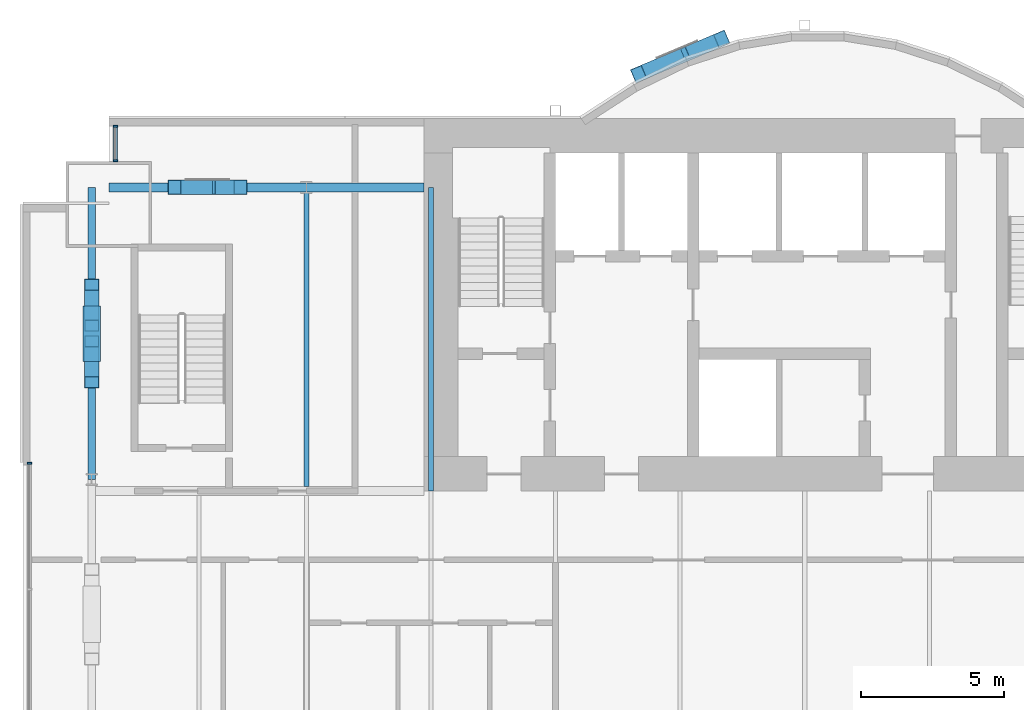
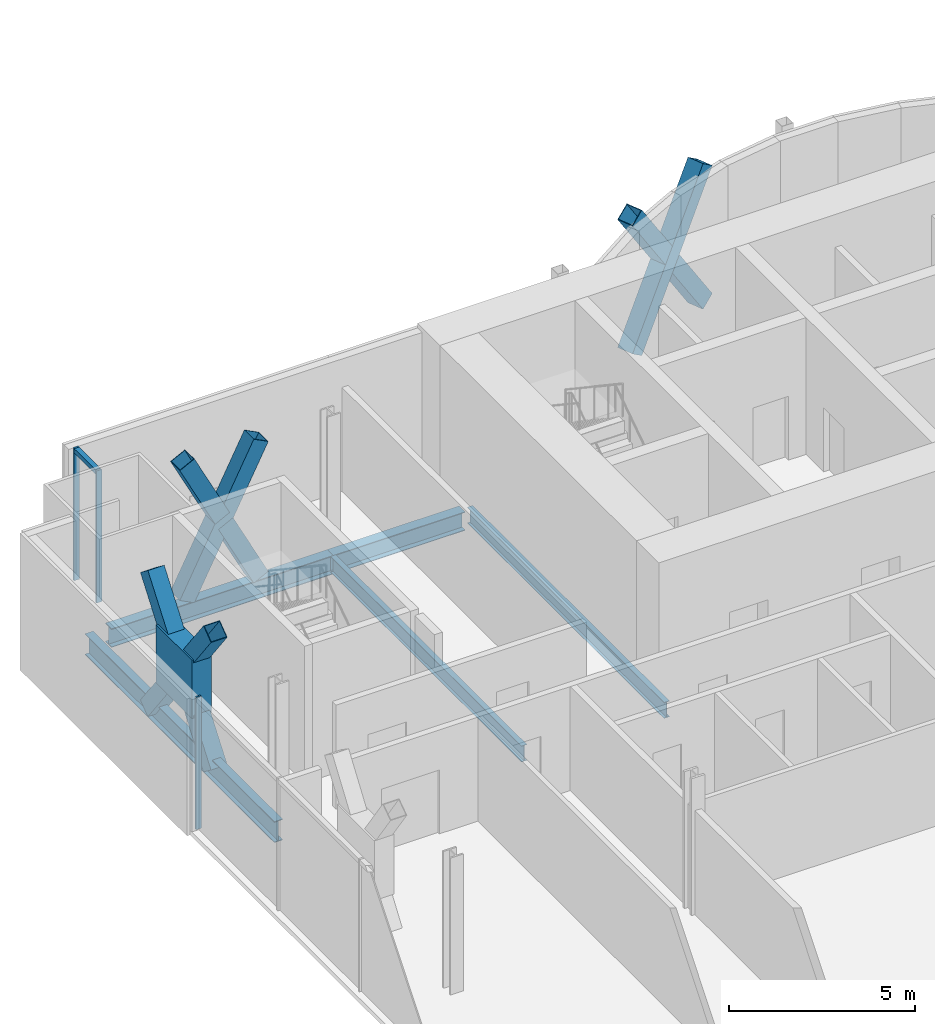
# One storey, part 10 of 22: 15 members, 5 beams, 2 elements without a shape of their own.
"""IFC4 building model written with IfcOpenShell, lengths in metres."""

from ifc_helpers import new_model, si_unit, direction, frame, origin, origin_2d, place, context, subcontext, project, spatial, rectangle, hollow_rectangle, i_section, extrude, material, material_profile, profile_set, type_object, element, aggregate, save


model = new_model("IFC4")

# Units and contexts
model_context = context("Model", 3, precision=1e-05, world=origin(), true_north=direction((0.0, 1.0)))
body_context = subcontext(model_context, "Body", "Model", "MODEL_VIEW")
ifc_project = project(units=[si_unit("LENGTHUNIT", "METRE"), si_unit("AREAUNIT", "SQUARE_METRE"), si_unit("VOLUMEUNIT", "CUBIC_METRE"), si_unit("PLANEANGLEUNIT", "RADIAN"), si_unit("MASSUNIT", "GRAM", prefix="KILO")], contexts=[model_context])

# Site, building, storey
site_placement = place(None, origin())
site = spatial("IfcSite", under=ifc_project, at=site_placement, CompositionType="ELEMENT")
building_placement = place(site_placement, origin())
building = spatial("IfcBuilding", under=site, at=building_placement, Name="Bicima Exchange Tower", CompositionType="ELEMENT")
storey_placement = place(building_placement, frame((0.0, 0.0, 39.5)))
storey = spatial("IfcBuildingStorey", under=building, at=storey_placement, Name="L07", CompositionType="ELEMENT", Elevation=39.5)

# Member
ifc_material_1 = material(Name="Steel ASTM A572 Gr 50", Category="steel")
ifc_material_profile_1 = material_profile(ifc_material_1, rectangle(XDim=0.60791015625, YDim=1.938720703125, at=origin_2d()))
ifc_profile_set_1 = profile_set([ifc_material_profile_1], Name="Steel ASTM A572 Gr 50")
member_type_1 = type_object("IfcMemberType", Name="Brace crossing node 608 x 1939", PredefinedType="POST", material=ifc_profile_set_1)
member_1_placement = place(storey_placement, frame((-33.60009765625, -7.5, 0.7939453125), z_axis=(0.0, 0.0, 1.0), x_axis=(1.0, 0.0, 0.0)))
element("IfcMember", 1, at=member_1_placement, inside=storey, type_object=member_type_1, Name="Brace crossing node block", PredefinedType="POST", context=body_context, shape_type="SweptSolid", body=[
    extrude(rectangle(XDim=0.60791015625, YDim=1.938720703125, at=origin_2d()), origin(), (0.0, 0.0, 1.0), 1.918701171875),
])

# Curtain wall, member
ifc_material_2 = material(Name="Anodised bronze aluminium", Category="aluminium")
curtain_wall_type_1 = type_object("IfcCurtainWallType", Name="End face glass wall", PredefinedType="NOTDEFINED", material=ifc_material_2)
curtain_wall_1_placement = place(storey_placement, origin())
curtain_wall_1 = element("IfcCurtainWall", 2, at=curtain_wall_1_placement, inside=storey, type_object=curtain_wall_type_1, Name="End face glass wall L07 run 2", PredefinedType="NOTDEFINED")
ifc_material_profile_2 = material_profile(ifc_material_2, rectangle(XDim=0.159912109375, YDim=0.06005859375, at=origin_2d()))
ifc_profile_set_2 = profile_set([ifc_material_profile_2], Name="Anodised bronze aluminium")
member_type_2 = type_object("IfcMemberType", Name="End face glass wall mullion 60 x 160", PredefinedType="MULLION", material=ifc_profile_set_2)
member_2_placement = place(storey_placement, frame((-35.77001953125, -12.030029296875, 0.0), z_axis=(0.0, 0.0, 1.0), x_axis=(1.0, 0.0, 0.0)))
member_2 = element("IfcMember", 3, at=member_2_placement, type_object=member_type_2, Name="End face glass wall mullion 1", PredefinedType="MULLION", context=body_context, shape_type="SweptSolid", body=[
    extrude(rectangle(XDim=0.159912109375, YDim=0.06005859375, at=origin_2d()), origin(), (0.0, 0.0, 1.0), 4.35009765625),
])
aggregate(curtain_wall_1, [member_2])

# Beams
ifc_material_3 = material(Name="Steel ASTM A992 Gr 50", Category="steel")
ifc_material_profile_3 = material_profile(ifc_material_3, i_section(OverallWidth=0.256591796875, OverallDepth=0.693359375, WebThickness=0.014404296875, FlangeThickness=0.023681640625, at=origin_2d()))
ifc_profile_set_3 = profile_set([ifc_material_profile_3], Name="Steel ASTM A992 Gr 50")
beam_type_1 = type_object("IfcBeamType", Name="End girder W27x114", PredefinedType="BEAM", material=ifc_profile_set_3)
beam_1_placement = place(storey_placement, frame((-33.60009765625, -2.39990234375, -0.49658203125), z_axis=(0.0, -1.0, 0.0), x_axis=(1.0, 0.0, 0.0)))
element("IfcBeam", 4, at=beam_1_placement, inside=storey, type_object=beam_type_1, Name="End girder", PredefinedType="BEAM", context=body_context, shape_type="SweptSolid", body=[
    extrude(i_section(OverallWidth=0.256591796875, OverallDepth=0.693359375, WebThickness=0.014404296875, FlangeThickness=0.023681640625, at=origin_2d()), origin(), (0.0, 0.0, 1.0), 10.2001953125),
])
ifc_material_profile_4 = material_profile(ifc_material_3, i_section(OverallWidth=0.165771484375, OverallDepth=0.5283203125, WebThickness=0.009765625, FlangeThickness=0.013671875, at=origin_2d()))
ifc_profile_set_4 = profile_set([ifc_material_profile_4], Name="Steel ASTM A992 Gr 50")
beam_type_2 = type_object("IfcBeamType", Name="Floor beam W21x50", PredefinedType="JOIST", material=ifc_profile_set_4)
beam_2_placement = place(storey_placement, frame((-26.10009765625, -2.5625, -0.414306640625), z_axis=(0.0, -1.0, 0.0), x_axis=(1.0, 0.0, 0.0)))
element("IfcBeam", 5, at=beam_2_placement, inside=storey, type_object=beam_type_2, Name="Floor beam", PredefinedType="JOIST", context=body_context, shape_type="SweptSolid", body=[
    extrude(i_section(OverallWidth=0.165771484375, OverallDepth=0.5283203125, WebThickness=0.009765625, FlangeThickness=0.013671875, at=origin_2d()), origin(), (0.0, 0.0, 1.0), 10.28515625),
])
beam_3_placement = place(storey_placement, frame((-21.75, -2.39990234375, -0.414306640625), z_axis=(0.0, -1.0, 0.0), x_axis=(1.0, 0.0, 0.0)))
element("IfcBeam", 6, at=beam_3_placement, inside=storey, type_object=beam_type_2, Name="Floor beam", PredefinedType="JOIST", context=body_context, shape_type="SweptSolid", body=[
    extrude(i_section(OverallWidth=0.165771484375, OverallDepth=0.5283203125, WebThickness=0.009765625, FlangeThickness=0.013671875, at=origin_2d()), origin(), (0.0, 0.0, 1.0), 10.60009765625),
])

# Curtain wall, members
curtain_wall_type_2 = type_object("IfcCurtainWallType", Name="Front glass wall", PredefinedType="NOTDEFINED", material=ifc_material_2)
curtain_wall_2_placement = place(storey_placement, origin())
curtain_wall_2 = element("IfcCurtainWall", 7, at=curtain_wall_2_placement, inside=storey, type_object=curtain_wall_type_2, Name="Front glass wall L07 run 1", PredefinedType="NOTDEFINED")
member_type_3 = type_object("IfcMemberType", Name="Front glass wall mullion 60 x 160", PredefinedType="MULLION", material=ifc_profile_set_2)
member_3_placement = place(storey_placement, frame((-32.77001953125, -0.260009765625, 0.0), z_axis=(0.0, 0.0, 1.0), x_axis=(1.0, 0.0, 0.0)))
member_3 = element("IfcMember", 8, at=member_3_placement, type_object=member_type_3, Name="Front glass wall mullion 1", PredefinedType="MULLION", context=body_context, shape_type="SweptSolid", body=[
    extrude(rectangle(XDim=0.159912109375, YDim=0.06005859375, at=origin_2d()), origin(), (0.0, 0.0, 1.0), 4.35009765625),
])
member_4_placement = place(storey_placement, frame((-32.77001953125, -1.469970703125, 0.0), z_axis=(0.0, 0.0, 1.0), x_axis=(1.0, 0.0, 0.0)))
member_4 = element("IfcMember", 9, at=member_4_placement, type_object=member_type_3, Name="Front glass wall mullion 2", PredefinedType="MULLION", context=body_context, shape_type="SweptSolid", body=[
    extrude(rectangle(XDim=0.159912109375, YDim=0.06005859375, at=origin_2d()), origin(), (0.0, 0.0, 1.0), 4.35009765625),
])
ifc_material_profile_5 = material_profile(ifc_material_2, rectangle(XDim=0.159912109375, YDim=0.139892578125, at=origin_2d()))
ifc_profile_set_5 = profile_set([ifc_material_profile_5], Name="Anodised bronze aluminium")
member_type_4 = type_object("IfcMemberType", Name="Front glass wall transom 140 x 160", PredefinedType="USERDEFINED", material=ifc_profile_set_5)
member_5_placement = place(storey_placement, frame((-32.77001953125, -0.2900390625, 4.280029296875), z_axis=(0.0, -1.0, 0.0), x_axis=(1.0, 0.0, 0.0)))
member_5 = element("IfcMember", 10, at=member_5_placement, type_object=member_type_4, Name="Front glass wall transom 1.1", ObjectType="TRANSOM", PredefinedType="USERDEFINED", context=body_context, shape_type="SweptSolid", body=[
    extrude(rectangle(XDim=0.159912109375, YDim=0.139892578125, at=origin_2d()), origin(), (0.0, 0.0, 1.0), 1.14990234375),
])
aggregate(curtain_wall_2, [member_3, member_4, member_5])

# Members
ifc_material_profile_6 = material_profile(ifc_material_1, hollow_rectangle(XDim=0.508056640625, YDim=0.508056640625, WallThickness=0.017822265625, at=origin_2d()))
ifc_profile_set_6 = profile_set([ifc_material_profile_6], Name="Steel ASTM A572 Gr 50")
member_type_5 = type_object("IfcMemberType", Name="Mega brace HSS20x20x3/4", PredefinedType="BRACE", material=ifc_profile_set_6)
member_6_placement = place(storey_placement, frame((-14.5, 1.55615234375, 0.0), z_axis=(0.527996544474, 0.223413927642, 0.819332573476), x_axis=(-0.389685518438, 0.920947988064, 0.0)))
element("IfcMember", 11, at=member_6_placement, inside=storey, type_object=member_type_5, Name="Mega brace rexo", PredefinedType="BRACE", context=body_context, shape_type="SweptSolid", body=[
    extrude(hollow_rectangle(XDim=0.508056640625, YDim=0.508056640625, WallThickness=0.017822265625, at=origin_2d()), origin(), (0.0, 0.0, 1.0), 5.4921875),
])
for number, where, z_axis, x_axis, name in (
    (12, (-11.60009765625, 2.783203125, 0.0), (-0.528006658597, -0.223362015777, 0.819340209184), (0.389602387733, -0.920983159169, 0.0), "Mega brace rexo"),
    (13, (-13.134521484375, 2.134033203125, 2.381103515625), (-0.5279955228, -0.223451707932, 0.819322929086), (0.38974204658, -0.920924066972, 0.0), "Mega brace rexo"),
):
    element("IfcMember", number, at=place(storey_placement, frame(where, z_axis=z_axis, x_axis=x_axis)), inside=storey, type_object=member_type_5, Name=name, PredefinedType="BRACE", context=body_context, shape_type="SweptSolid", body=[
        extrude(hollow_rectangle(XDim=0.508056640625, YDim=0.508056640625, WallThickness=0.017822265625, at=origin_2d()), origin(), (0.0, 0.0, 1.0), 2.586181640625),
    ])
member_7_placement = place(storey_placement, frame((-30.699951171875, -2.39990234375, 0.0), z_axis=(0.455118720355, 0.0, 0.890430766754), x_axis=(0.0, 1.0, 0.0)))
element("IfcMember", 14, at=member_7_placement, inside=storey, type_object=member_type_5, Name="Mega brace rear", PredefinedType="BRACE", context=body_context, shape_type="SweptSolid", body=[
    extrude(hollow_rectangle(XDim=0.508056640625, YDim=0.508056640625, WallThickness=0.017822265625, at=origin_2d()), origin(), (0.0, 0.0, 1.0), 5.0537109375),
])
member_8_placement = place(storey_placement, frame((-28.39990234375, -2.39990234375, 0.0), z_axis=(-0.455137832112, 0.0, 0.890420998057), x_axis=(0.0, -1.0, 0.0)))
element("IfcMember", 15, at=member_8_placement, inside=storey, type_object=member_type_5, Name="Mega brace rear", PredefinedType="BRACE", context=body_context, shape_type="SweptSolid", body=[
    extrude(hollow_rectangle(XDim=0.508056640625, YDim=0.508056640625, WallThickness=0.017822265625, at=origin_2d()), origin(), (0.0, 0.0, 1.0), 2.41015625),
])
member_9_placement = place(storey_placement, frame((-29.603271484375, -2.39990234375, 2.35400390625), z_axis=(-0.45505751144, 0.0, 0.890462049322), x_axis=(0.0, -1.0, 0.0)))
element("IfcMember", 16, at=member_9_placement, inside=storey, type_object=member_type_5, Name="Mega brace rear", PredefinedType="BRACE", context=body_context, shape_type="SweptSolid", body=[
    extrude(hollow_rectangle(XDim=0.508056640625, YDim=0.508056640625, WallThickness=0.017822265625, at=origin_2d()), origin(), (0.0, 0.0, 1.0), 2.409912109375),
])
for number, where, z_axis, x_axis, name in (
    (17, (-33.60009765625, -5.800048828125, -0.49658203125), (0.0, -0.602783510849, 0.797904780691), (1.0, 0.0, 0.0), "Mega brace west end"),
    (18, (-33.60009765625, -7.772216796875, 2.11328125), (0.0, -0.602733938339, 0.797942228218), (1.0, 0.0, 0.0), "Mega brace west end"),
    (19, (-33.60009765625, -9.199951171875, -0.49658203125), (0.0, 0.602783510849, 0.797904780691), (-1.0, 0.0, 0.0), "Mega brace west end"),
    (20, (-33.60009765625, -7.227783203125, 2.11328125), (0.0, 0.602733938339, 0.797942228218), (-1.0, 0.0, 0.0), "Mega brace west end"),
):
    element("IfcMember", number, at=place(storey_placement, frame(where, z_axis=z_axis, x_axis=x_axis)), inside=storey, type_object=member_type_5, Name=name, PredefinedType="BRACE", context=body_context, shape_type="SweptSolid", body=[
        extrude(hollow_rectangle(XDim=0.508056640625, YDim=0.508056640625, WallThickness=0.017822265625, at=origin_2d()), origin(), (0.0, 0.0, 1.0), 2.36865234375),
    ])

# Beams
ifc_material_profile_7 = material_profile(ifc_material_3, i_section(OverallWidth=0.3251953125, OverallDepth=0.612060546875, WebThickness=0.0126953125, FlangeThickness=0.01904296875, at=origin_2d()))
ifc_profile_set_7 = profile_set([ifc_material_profile_7], Name="Steel ASTM A992 Gr 50")
beam_type_3 = type_object("IfcBeamType", Name="Rear girder W24x104", PredefinedType="BEAM", material=ifc_profile_set_7)
beam_4_placement = place(storey_placement, frame((-22.0, -2.39990234375, -0.4560546875), z_axis=(-1.0, 0.0, 0.0), x_axis=(0.0, -1.0, 0.0)))
element("IfcBeam", 21, at=beam_4_placement, inside=storey, type_object=beam_type_3, Name="Rear girder", PredefinedType="BEAM", context=body_context, shape_type="SweptSolid", body=[
    extrude(i_section(OverallWidth=0.3251953125, OverallDepth=0.612060546875, WebThickness=0.0126953125, FlangeThickness=0.01904296875, at=origin_2d()), origin(), (0.0, 0.0, 1.0), 4.10009765625),
])
beam_5_placement = place(storey_placement, frame((-26.10009765625, -2.39990234375, -0.4560546875), z_axis=(-1.0, 0.0, 0.0), x_axis=(0.0, -1.0, 0.0)))
element("IfcBeam", 22, at=beam_5_placement, inside=storey, type_object=beam_type_3, Name="Rear girder", PredefinedType="BEAM", context=body_context, shape_type="SweptSolid", body=[
    extrude(i_section(OverallWidth=0.3251953125, OverallDepth=0.612060546875, WebThickness=0.0126953125, FlangeThickness=0.01904296875, at=origin_2d()), origin(), (0.0, 0.0, 1.0), 6.89990234375),
])

save(model, "model.ifc")
